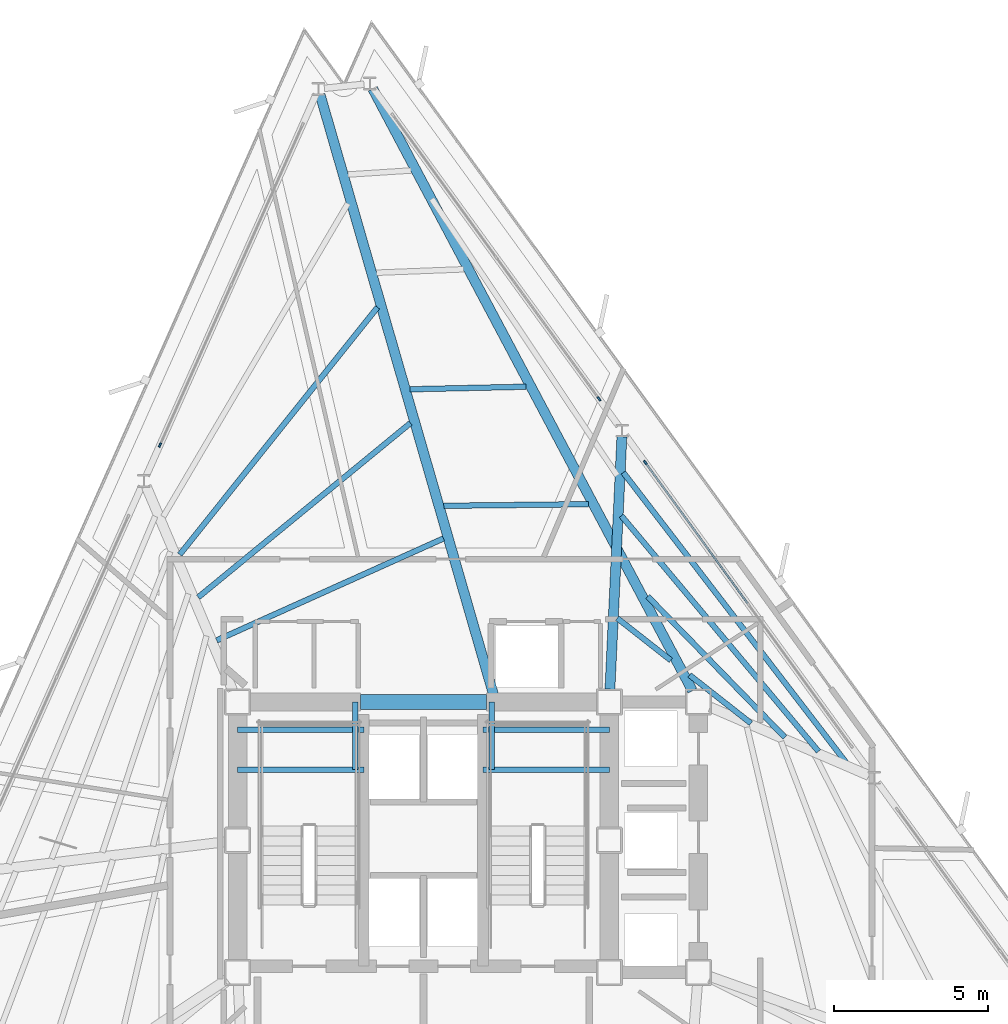
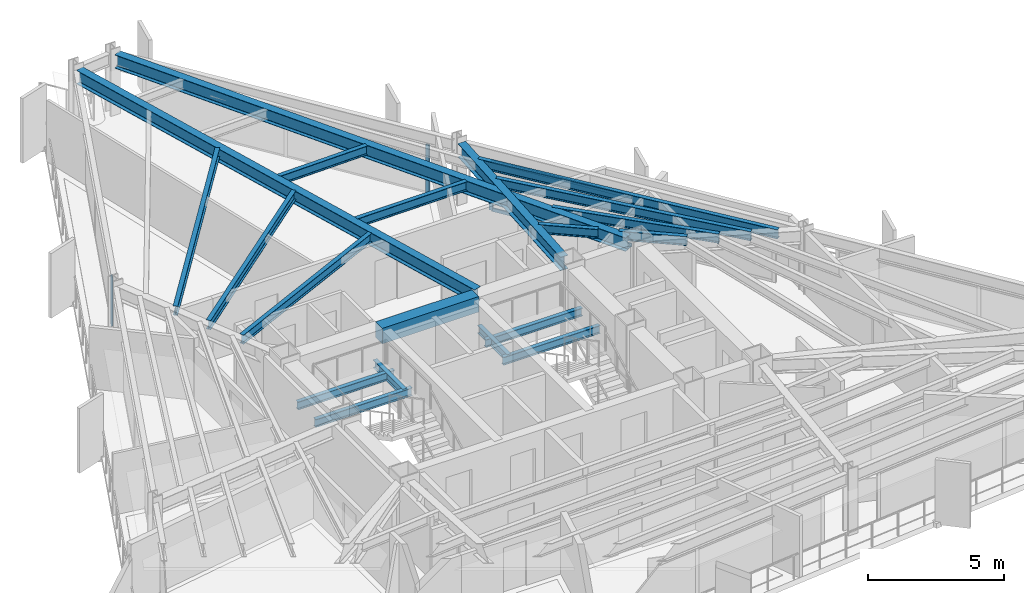
# One storey, part 4 of 12: 20 beams, 5 members, 3 elements without a shape of their own.
"""IFC4 building model written with IfcOpenShell, lengths in metres."""

from ifc_helpers import new_model, si_unit, direction, frame, origin, origin_2d, place, context, subcontext, project, spatial, rectangle, i_section, extrude, material, layer, layer_set, material_profile, profile_set, type_object, element, aggregate, save


model = new_model("IFC4")

# Units and contexts
model_context = context("Model", 3, precision=1e-05, world=origin(), true_north=direction((0.0, 1.0)))
body_context = subcontext(model_context, "Body", "Model", "MODEL_VIEW")
ifc_project = project(units=[si_unit("LENGTHUNIT", "METRE"), si_unit("AREAUNIT", "SQUARE_METRE"), si_unit("VOLUMEUNIT", "CUBIC_METRE"), si_unit("PLANEANGLEUNIT", "RADIAN"), si_unit("MASSUNIT", "GRAM", prefix="KILO")], contexts=[model_context])

# Site, building, storey
site_placement = place(None, origin())
site = spatial("IfcSite", under=ifc_project, at=site_placement, CompositionType="ELEMENT")
building_placement = place(site_placement, origin())
building = spatial("IfcBuilding", under=site, at=building_placement, Name="Rocaltana Carrier Exchange", CompositionType="ELEMENT")
storey_placement = place(building_placement, frame((0.0, 0.0, 116.800048828125)))
storey = spatial("IfcBuildingStorey", under=building, at=storey_placement, Name="L36", CompositionType="ELEMENT", Elevation=116.800048828125)

# Curtain wall, member
ifc_material_1 = material(Name="Aluminium 6063-T6", Category="aluminium")
ifc_layer = layer(ifc_material_1, 0.14990234375)
ifc_layer_set = layer_set([ifc_layer], Name="Aluminium 6063-T6")
curtain_wall_type = type_object("IfcCurtainWallType", Name="Mid-Tower Unitised Curtain Wall CW-03", PredefinedType="NOTDEFINED", material=ifc_layer_set)
curtain_wall_1_placement = place(storey_placement, origin())
curtain_wall_1 = element("IfcCurtainWall", 1, at=curtain_wall_1_placement, inside=storey, type_object=curtain_wall_type, Name="L36 CW-03 Run CW-L36-F1S2", PredefinedType="NOTDEFINED")
ifc_material_2 = material(Name="Aluminium 6063-T6", Category="aluminium")
ifc_material_profile_1 = material_profile(ifc_material_2, rectangle(XDim=0.06005859375, YDim=0.14990234375, at=origin_2d()), Name="AL-60X150")
ifc_profile_set_1 = profile_set([ifc_material_profile_1], Name="Aluminium 6063-T6")
member_type_1 = type_object("IfcMemberType", Name="CW-03 Mullion AL-60X150", PredefinedType="MULLION", material=ifc_profile_set_1)
member_1_placement = place(storey_placement, frame((7.22021484375, 12.29541015625, 0.0), z_axis=(0.0, 0.0, 1.0), x_axis=(-0.809013555195, -0.587789985889, 0.0)))
member_1 = element("IfcMember", 2, at=member_1_placement, type_object=member_type_1, Name="CW-03 mullion 3", PredefinedType="MULLION", context=body_context, shape_type="SweptSolid", body=[
    extrude(rectangle(XDim=0.06005859375, YDim=0.14990234375, at=origin_2d()), origin(), (0.0, 0.0, 1.0), 2.218017578125),
])

curtain_wall_2_placement = place(storey_placement, origin())
curtain_wall_2 = element("IfcCurtainWall", 3, at=curtain_wall_2_placement, inside=storey, type_object=curtain_wall_type, Name="L36 CW-03 Run CW-L36-F1S3", PredefinedType="NOTDEFINED")
member_2_placement = place(storey_placement, frame((5.715576171875, 14.366455078125, 0.0), z_axis=(0.0, 0.0, 1.0), x_axis=(-0.809013555195, -0.587789985889, 0.0)))
member_2 = element("IfcMember", 4, at=member_2_placement, type_object=member_type_1, Name="CW-03 mullion 1", PredefinedType="MULLION", context=body_context, shape_type="SweptSolid", body=[
    extrude(rectangle(XDim=0.06005859375, YDim=0.14990234375, at=origin_2d()), origin(), (0.0, 0.0, 1.0), 2.218017578125),
])
aggregate(curtain_wall_2, [member_2])

curtain_wall_3_placement = place(storey_placement, origin())
curtain_wall_3 = element("IfcCurtainWall", 5, at=curtain_wall_3_placement, inside=storey, type_object=curtain_wall_type, Name="L36 CW-03 Run CW-L36-F2S1", PredefinedType="NOTDEFINED")
member_3_placement = place(storey_placement, frame((-8.577392578125, 12.8642578125, 0.0), z_axis=(0.0, 0.0, 1.0), x_axis=(0.913543791084, -0.406740386206, 0.0)))
member_3 = element("IfcMember", 6, at=member_3_placement, type_object=member_type_1, Name="CW-03 mullion 3", PredefinedType="MULLION", context=body_context, shape_type="SweptSolid", body=[
    extrude(rectangle(XDim=0.06005859375, YDim=0.14990234375, at=origin_2d()), origin(), (0.0, 0.0, 1.0), 2.218017578125),
])
aggregate(curtain_wall_3, [member_3])

# Member
ifc_material_3 = material(Name="Aluminium 6063-T6", Category="aluminium")
ifc_material_profile_2 = material_profile(ifc_material_3, rectangle(XDim=0.06005859375, YDim=0.14990234375, at=origin_2d()), Name="AL-60X150")
ifc_profile_set_2 = profile_set([ifc_material_profile_2], Name="Aluminium 6063-T6")
member_type_2 = type_object("IfcMemberType", Name="CW-03 Transom AL-60X150", PredefinedType="USERDEFINED", material=ifc_profile_set_2)
member_4_placement = place(storey_placement, frame((10.554931640625, 7.70556640625, 0.030029296875), z_axis=(-0.58778321885, 0.809018471753, 0.0), x_axis=(-0.809018471753, -0.58778321885, 0.0)))
member_4 = element("IfcMember", 7, at=member_4_placement, type_object=member_type_2, Name="CW-03 transom 2.1", ObjectType="TRANSOM", PredefinedType="USERDEFINED", context=body_context, shape_type="SweptSolid", body=[
    extrude(rectangle(XDim=0.06005859375, YDim=0.14990234375, at=origin_2d()), origin(), (0.0, 0.0, 1.0), 5.6435546875),
])

member_5_placement = place(storey_placement, frame((10.554931640625, 7.70556640625, 2.18798828125), z_axis=(-0.58778321885, 0.809018471753, 0.0), x_axis=(-0.809018471753, -0.58778321885, 0.0)))
member_5 = element("IfcMember", 8, at=member_5_placement, type_object=member_type_2, Name="CW-03 transom 2.2", ObjectType="TRANSOM", PredefinedType="USERDEFINED", context=body_context, shape_type="SweptSolid", body=[
    extrude(rectangle(XDim=0.06005859375, YDim=0.14990234375, at=origin_2d()), origin(), (0.0, 0.0, 1.0), 5.6435546875),
])

aggregate(curtain_wall_1, [member_1, member_4, member_5])

# Beams
ifc_material_4 = material(Name="Concrete C60/75", Category="concrete")
ifc_material_profile_3 = material_profile(ifc_material_4, rectangle(XDim=0.5, YDim=0.699951171875, at=origin_2d()), Name="RC-BM-500X700")
ifc_profile_set_3 = profile_set([ifc_material_profile_3], Name="Concrete C60/75")
beam_type_1 = type_object("IfcBeamType", Name="Core Coupling Lintel 500x700", PredefinedType="LINTEL", material=ifc_profile_set_3)
beam_1_placement = place(storey_placement, frame((-2.050048828125, 4.5, 2.43798828125), z_axis=(1.0, 0.0, 0.0), x_axis=(0.0, 1.0, 0.0)))
element("IfcBeam", 9, at=beam_1_placement, inside=storey, type_object=beam_type_1, Name="L36 Core Coupling Lintel CL-N", PredefinedType="LINTEL", context=body_context, shape_type="SweptSolid", body=[
    extrude(rectangle(XDim=0.5, YDim=0.699951171875, at=origin_2d()), origin(), (0.0, 0.0, 1.0), 4.10009765625),
])
ifc_material_5 = material(Name="Steel S355", Category="steel")
ifc_material_profile_4 = material_profile(ifc_material_5, i_section(OverallWidth=0.172119140625, OverallDepth=0.35791015625, WebThickness=0.0078125, FlangeThickness=0.01318359375, FilletRadius=0.011962890625, at=origin_2d()), Name="W14X38")
ifc_profile_set_4 = profile_set([ifc_material_profile_4], Name="Steel S355")
beam_type_2 = type_object("IfcBeamType", Name="Floor Joist W14X38", PredefinedType="JOIST", material=ifc_profile_set_4)
for number, where, z_axis, x_axis, name in (
    (10, (-6.050048828125, 2.300048828125, 1.140869140625), (1.0, 0.0, 0.0), (0.0, 1.0, 0.0), "L36 ST-1 Landing Carrier 1"),
    (11, (1.93994140625, 2.300048828125, 1.140869140625), (1.0, 0.0, 0.0), (0.0, 1.0, 0.0), "L36 ST-2 Landing Carrier 1"),
    (12, (-6.050048828125, 3.60009765625, 1.140869140625), (1.0, 0.0, 0.0), (0.0, 1.0, 0.0), "L36 ST-1 Landing Carrier 2"),
    (13, (1.93994140625, 3.60009765625, 1.140869140625), (1.0, 0.0, 0.0), (0.0, 1.0, 0.0), "L36 ST-2 Landing Carrier 2"),
):
    element("IfcBeam", number, at=place(storey_placement, frame(where, z_axis=z_axis, x_axis=x_axis)), inside=storey, type_object=beam_type_2, Name=name, PredefinedType="JOIST", context=body_context, shape_type="SweptSolid", body=[
        extrude(i_section(OverallWidth=0.172119140625, OverallDepth=0.35791015625, WebThickness=0.0078125, FlangeThickness=0.01318359375, FilletRadius=0.011962890625, at=origin_2d()), origin(), (0.0, 0.0, 1.0), 4.110107421875),
    ])
for number, where, z_axis, x_axis, name in (
    (14, (-2.219970703125, 2.300048828125, 1.140869140625), (0.0, 1.0, 0.0), (-1.0, 0.0, 0.0), "L36 ST-1 Landing Cross Trimmer"),
    (15, (2.219970703125, 2.300048828125, 1.140869140625), (0.0, 1.0, 0.0), (-1.0, 0.0, 0.0), "L36 ST-2 Landing Cross Trimmer"),
):
    element("IfcBeam", number, at=place(storey_placement, frame(where, z_axis=z_axis, x_axis=x_axis)), inside=storey, type_object=beam_type_2, Name=name, PredefinedType="JOIST", context=body_context, shape_type="SweptSolid", body=[
        extrude(i_section(OverallWidth=0.172119140625, OverallDepth=0.35791015625, WebThickness=0.0078125, FlangeThickness=0.01318359375, FilletRadius=0.011962890625, at=origin_2d()), origin(), (0.0, 0.0, 1.0), 2.199951171875),
    ])
ifc_material_6 = material(Name="Steel S355", Category="steel")
ifc_material_profile_5 = material_profile(ifc_material_6, i_section(OverallWidth=0.179931640625, OverallDepth=0.4130859375, WebThickness=0.009765625, FlangeThickness=0.01611328125, FilletRadius=0.012939453125, at=origin_2d()), Name="W16X50")
ifc_profile_set_5 = profile_set([ifc_material_profile_5], Name="Steel S355")
beam_type_3 = type_object("IfcBeamType", Name="Floor Joist W16X50", PredefinedType="JOIST", material=ifc_profile_set_5)
beam_2_placement = place(storey_placement, frame((10.66015625, 3.806640625, 2.58154296875), z_axis=(-0.786171683664, 0.618008158365, 0.0), x_axis=(-0.618008158365, -0.786171683664, 0.0)))
element("IfcBeam", 16, at=beam_2_placement, inside=storey, type_object=beam_type_3, Name="FJ-L36-02-1S1", PredefinedType="JOIST", context=body_context, shape_type="SweptSolid", body=[
    extrude(i_section(OverallWidth=0.179931640625, OverallDepth=0.4130859375, WebThickness=0.009765625, FlangeThickness=0.01611328125, FilletRadius=0.012939453125, at=origin_2d()), origin(), (0.0, 0.0, 1.0), 2.5419921875),
])
beam_3_placement = place(storey_placement, frame((8.051025390625, 5.85791015625, 2.58154296875), z_axis=(-0.786142704991, 0.61804502052, 0.0), x_axis=(-0.61804502052, -0.786142704991, 0.0)))
element("IfcBeam", 17, at=beam_3_placement, inside=storey, type_object=beam_type_3, Name="FJ-L36-02-1S2", PredefinedType="JOIST", context=body_context, shape_type="SweptSolid", body=[
    extrude(i_section(OverallWidth=0.179931640625, OverallDepth=0.4130859375, WebThickness=0.009765625, FlangeThickness=0.01611328125, FilletRadius=0.012939453125, at=origin_2d()), origin(), (0.0, 0.0, 1.0), 2.21923828125),
])
beam_4_placement = place(storey_placement, frame((11.76220703125, 3.35302734375, 2.58154296875), z_axis=(-0.697417522087, 0.716665054182, 0.0), x_axis=(-0.716665054182, -0.697417522087, 0.0)))
element("IfcBeam", 18, at=beam_4_placement, inside=storey, type_object=beam_type_3, Name="FJ-L36-02-2", PredefinedType="JOIST", context=body_context, shape_type="SweptSolid", body=[
    extrude(i_section(OverallWidth=0.179931640625, OverallDepth=0.4130859375, WebThickness=0.009765625, FlangeThickness=0.01611328125, FilletRadius=0.012939453125, at=origin_2d()), origin(), (0.0, 0.0, 1.0), 6.392822265625),
])
beam_5_placement = place(storey_placement, frame((12.85888671875, 2.891845703125, 2.58154296875), z_axis=(-0.641626502417, 0.767017230182, 0.0), x_axis=(-0.767017230182, -0.641626502417, 0.0)))
element("IfcBeam", 19, at=beam_5_placement, inside=storey, type_object=beam_type_3, Name="FJ-L36-02-3", PredefinedType="JOIST", context=body_context, shape_type="SweptSolid", body=[
    extrude(i_section(OverallWidth=0.179931640625, OverallDepth=0.4130859375, WebThickness=0.009765625, FlangeThickness=0.01611328125, FilletRadius=0.012939453125, at=origin_2d()), origin(), (0.0, 0.0, 1.0), 10.0),
])
beam_6_placement = place(storey_placement, frame((13.7802734375, 2.5009765625, 2.58154296875), z_axis=(-0.60925224181, 0.792976485054, 0.0), x_axis=(-0.792976485054, -0.60925224181, 0.0)))
element("IfcBeam", 20, at=beam_6_placement, inside=storey, type_object=beam_type_3, Name="FJ-L36-02-4", PredefinedType="JOIST", context=body_context, shape_type="SweptSolid", body=[
    extrude(i_section(OverallWidth=0.179931640625, OverallDepth=0.4130859375, WebThickness=0.009765625, FlangeThickness=0.01611328125, FilletRadius=0.012939453125, at=origin_2d()), origin(), (0.0, 0.0, 1.0), 11.9423828125),
])
beam_7_placement = place(storey_placement, frame((5.372802734375, 10.93994140625, 2.58154296875), z_axis=(-0.999937391673, -0.01118984958, 0.0), x_axis=(0.01118984958, -0.999937391673, 0.0)))
element("IfcBeam", 21, at=beam_7_placement, inside=storey, type_object=beam_type_3, Name="FJ-L36-04-1", PredefinedType="JOIST", context=body_context, shape_type="SweptSolid", body=[
    extrude(i_section(OverallWidth=0.179931640625, OverallDepth=0.4130859375, WebThickness=0.009765625, FlangeThickness=0.01611328125, FilletRadius=0.012939453125, at=origin_2d()), origin(), (0.0, 0.0, 1.0), 4.712646484375),
])
beam_8_placement = place(storey_placement, frame((3.34130859375, 14.762939453125, 2.58154296875), z_axis=(-0.999758539531, -0.02197413559, 0.0), x_axis=(0.02197413559, -0.999758539531, 0.0)))
element("IfcBeam", 22, at=beam_8_placement, inside=storey, type_object=beam_type_3, Name="FJ-L36-04-2", PredefinedType="JOIST", context=body_context, shape_type="SweptSolid", body=[
    extrude(i_section(OverallWidth=0.179931640625, OverallDepth=0.4130859375, WebThickness=0.009765625, FlangeThickness=0.01611328125, FilletRadius=0.012939453125, at=origin_2d()), origin(), (0.0, 0.0, 1.0), 3.777587890625),
])
beam_9_placement = place(storey_placement, frame((0.650390625, 9.82373046875, 2.58154296875), z_axis=(-0.912122924313, -0.409916785388, 0.0), x_axis=(0.409916785388, -0.912122924313, 0.0)))
element("IfcBeam", 23, at=beam_9_placement, inside=storey, type_object=beam_type_3, Name="FJ-L36-05-1", PredefinedType="JOIST", context=body_context, shape_type="SweptSolid", body=[
    extrude(i_section(OverallWidth=0.179931640625, OverallDepth=0.4130859375, WebThickness=0.009765625, FlangeThickness=0.01611328125, FilletRadius=0.012939453125, at=origin_2d()), origin(), (0.0, 0.0, 1.0), 8.09228515625),
])
beam_10_placement = place(storey_placement, frame((-0.423583984375, 13.579833984375, 2.58154296875), z_axis=(-0.772904703417, -0.634522118949, 0.0), x_axis=(0.634522118949, -0.772904703417, 0.0)))
element("IfcBeam", 24, at=beam_10_placement, inside=storey, type_object=beam_type_3, Name="FJ-L36-05-2", PredefinedType="JOIST", context=body_context, shape_type="SweptSolid", body=[
    extrude(i_section(OverallWidth=0.179931640625, OverallDepth=0.4130859375, WebThickness=0.009765625, FlangeThickness=0.01611328125, FilletRadius=0.012939453125, at=origin_2d()), origin(), (0.0, 0.0, 1.0), 8.937744140625),
])
beam_11_placement = place(storey_placement, frame((-1.49609375, 17.348388671875, 2.58154296875), z_axis=(-0.624570833633, -0.78096816438, 0.0), x_axis=(0.78096816438, -0.624570833633, 0.0)))
element("IfcBeam", 25, at=beam_11_placement, inside=storey, type_object=beam_type_3, Name="FJ-L36-05-3", PredefinedType="JOIST", context=body_context, shape_type="SweptSolid", body=[
    extrude(i_section(OverallWidth=0.179931640625, OverallDepth=0.4130859375, WebThickness=0.009765625, FlangeThickness=0.01611328125, FilletRadius=0.012939453125, at=origin_2d()), origin(), (0.0, 0.0, 1.0), 10.307373046875),
])
ifc_material_7 = material(Name="Steel S355", Category="steel")
ifc_material_profile_6 = material_profile(ifc_material_7, i_section(OverallWidth=0.323974609375, OverallDepth=0.611083984375, WebThickness=0.0126953125, FlangeThickness=0.01904296875, FilletRadius=0.01611328125, at=origin_2d()), Name="W24X104")
ifc_profile_set_6 = profile_set([ifc_material_profile_6], Name="Steel S355")
beam_type_4 = type_object("IfcBeamType", Name="Radial Girder W24X104", PredefinedType="BEAM", material=ifc_profile_set_6)
beam_12_placement = place(storey_placement, frame((6.069580078125, 4.91650390625, 2.482421875), z_axis=(0.047262084461, 0.998882523309, 0.0), x_axis=(-0.998882523309, 0.047262084461, 0.0)))
element("IfcBeam", 26, at=beam_12_placement, inside=storey, type_object=beam_type_4, Name="RG-L36-03", PredefinedType="BEAM", context=body_context, shape_type="SweptSolid", body=[
    extrude(i_section(OverallWidth=0.323974609375, OverallDepth=0.611083984375, WebThickness=0.0126953125, FlangeThickness=0.01904296875, FilletRadius=0.01611328125, at=origin_2d()), origin(), (0.0, 0.0, 1.0), 8.22900390625),
])
beam_13_placement = place(storey_placement, frame((8.75439453125, 4.868408203125, 2.482421875), z_axis=(-0.469069652013, 0.883161175302, 0.0), x_axis=(-0.883161175302, -0.469069652013, 0.0)))
element("IfcBeam", 27, at=beam_13_placement, inside=storey, type_object=beam_type_4, Name="RG-L36-04", PredefinedType="BEAM", context=body_context, shape_type="SweptSolid", body=[
    extrude(i_section(OverallWidth=0.323974609375, OverallDepth=0.611083984375, WebThickness=0.0126953125, FlangeThickness=0.01904296875, FilletRadius=0.01611328125, at=origin_2d()), origin(), (0.0, 0.0, 1.0), 22.18115234375),
])
beam_14_placement = place(storey_placement, frame((2.28271484375, 4.732421875, 2.482421875), z_axis=(-0.277663026664, 0.960678532926, 0.0), x_axis=(-0.960678532926, -0.277663026664, 0.0)))
element("IfcBeam", 28, at=beam_14_placement, inside=storey, type_object=beam_type_4, Name="RG-L36-05", PredefinedType="BEAM", context=body_context, shape_type="SweptSolid", body=[
    extrude(i_section(OverallWidth=0.323974609375, OverallDepth=0.611083984375, WebThickness=0.0126953125, FlangeThickness=0.01904296875, FilletRadius=0.01611328125, at=origin_2d()), origin(), (0.0, 0.0, 1.0), 20.333984375),
])

save(model, "model.ifc")
